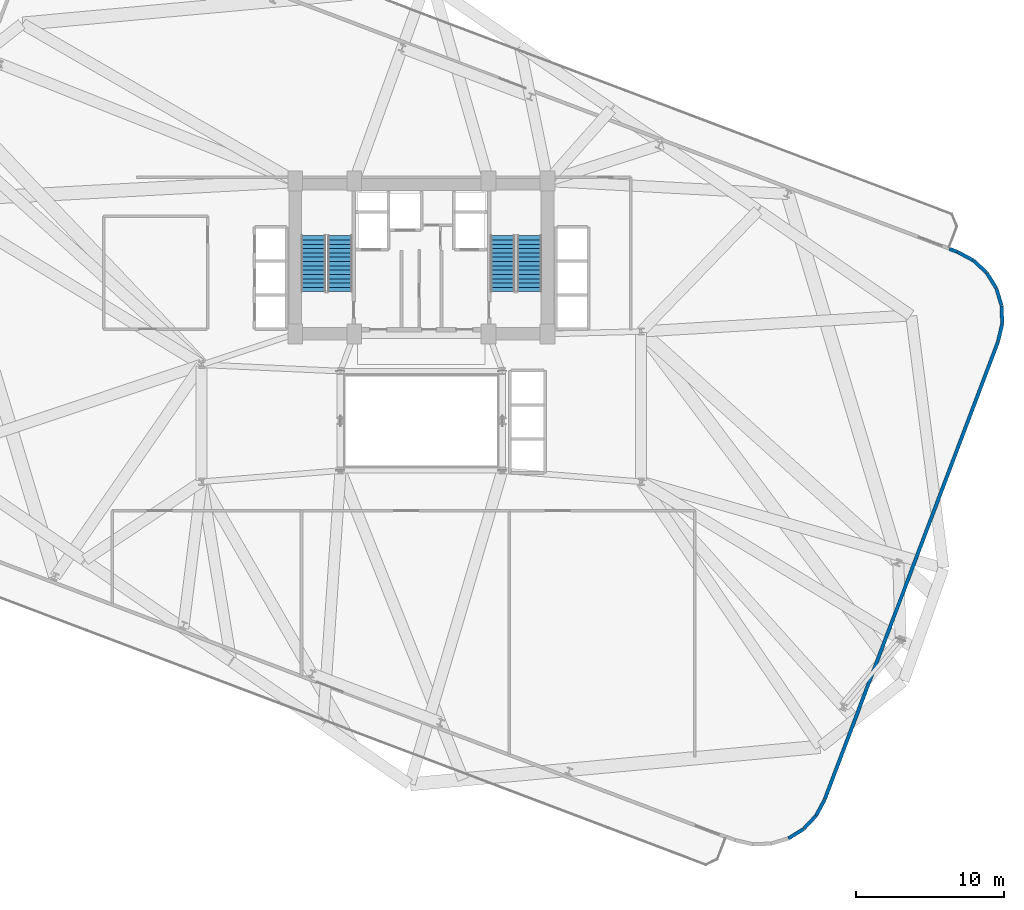
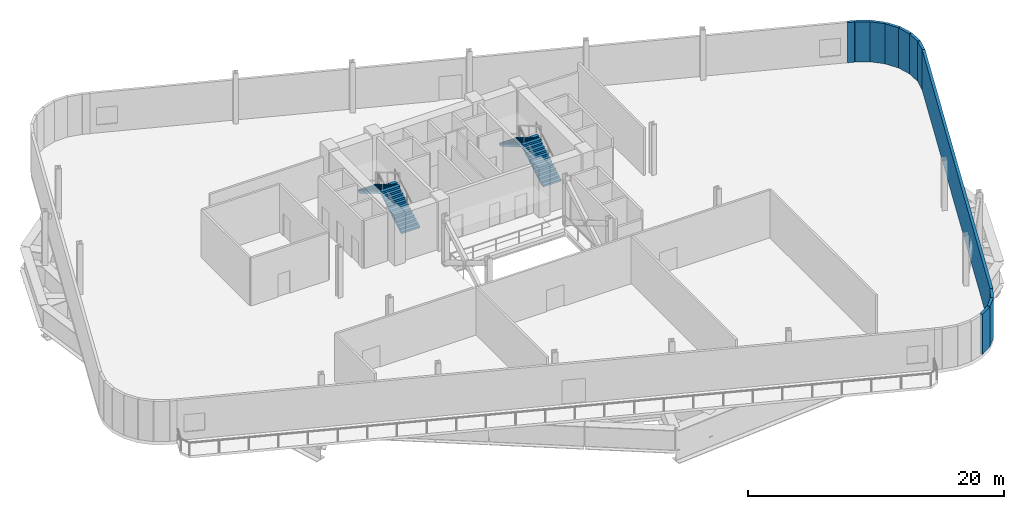
# One storey, part 8 of 11: 11 walls, 4 stair flights, 2 elements without a shape of their own.
"""IFC4 building model written with IfcOpenShell, lengths in metres."""

from ifc_helpers import new_model, si_unit, direction, frame, frame_2d, origin, place, context, subcontext, project, spatial, polyline, rectangle, outline, extrude, material, layer, layer_set, type_object, element, aggregate, save


model = new_model("IFC4")

# Units and contexts
model_context = context("Model", 3, precision=1e-05, world=origin(), true_north=direction((0.0, 1.0)))
body_context = subcontext(model_context, "Body", "Model", "MODEL_VIEW")
ifc_project = project(units=[si_unit("LENGTHUNIT", "METRE"), si_unit("AREAUNIT", "SQUARE_METRE"), si_unit("VOLUMEUNIT", "CUBIC_METRE"), si_unit("PLANEANGLEUNIT", "RADIAN"), si_unit("MASSUNIT", "GRAM", prefix="KILO")], contexts=[model_context])

# Site, building, storey
site_placement = place(None, origin())
site = spatial("IfcSite", under=ifc_project, at=site_placement, CompositionType="ELEMENT")
building_placement = place(site_placement, origin())
building = spatial("IfcBuilding", under=site, at=building_placement, Name="Varnelok Gate Tower", CompositionType="ELEMENT")
storey_placement = place(building_placement, frame((0.0, 0.0, 71.39990234375)))
storey = spatial("IfcBuildingStorey", under=building, at=storey_placement, Name="L17", CompositionType="ELEMENT", Elevation=71.39990234375)

# Walls
ifc_material_1 = material(Name="Concrete C45/55", Category="concrete")
ifc_layer = layer(ifc_material_1, 0.239990234375)
ifc_layer_set = layer_set([ifc_layer], Name="Concrete C45/55")
wall_type = type_object("IfcWallType", Name="EW-PLANT-240", PredefinedType="SOLIDWALL", material=ifc_layer_set)
for number, where, z_axis, x_axis, name in (
    (1, (63.919921875, -5.218017578125, 0.0), (0.0, 0.0, 1.0), (0.850169452362, 0.526509166369, 0.0), "L17 Perimeter Facade Closure Wall 12"),
    (2, (64.9541015625, -4.56982421875, 0.0), (0.0, 0.0, 1.0), (0.685040001998, 0.72850545342, 0.0), "L17 Perimeter Facade Closure Wall 13"),
):
    element("IfcWall", number, at=place(storey_placement, frame(where, z_axis=z_axis, x_axis=x_axis)), inside=storey, type_object=wall_type, Name=name, PredefinedType="SOLIDWALL", context=body_context, shape_type="SweptSolid", body=[
        extrude(rectangle(XDim=1.1962890625, YDim=0.239990234375, at=frame_2d((0.59814453125, 0.0))), origin(), (0.0, 0.0, 1.0), 3.830078125),
    ])
wall_1_placement = place(storey_placement, frame((65.78564453125, -3.67626953125, 0.0), z_axis=(0.0, 0.0, 1.0), x_axis=(0.473132465207, 0.880991299825, 0.0)))
element("IfcWall", 3, at=wall_1_placement, inside=storey, type_object=wall_type, Name="L17 Perimeter Facade Closure Wall 14", PredefinedType="SOLIDWALL", context=body_context, shape_type="SweptSolid", body=[
    extrude(rectangle(XDim=1.204345703125, YDim=0.239990234375, at=frame_2d((0.60205078125, 0.0))), origin(), (0.0, 0.0, 1.0), 3.830078125),
])
wall_2_placement = place(storey_placement, frame((66.3642578125, -2.591796875, 0.0), z_axis=(0.0, 0.0, 1.0), x_axis=(0.354063539488, 0.935221369519, 0.0)))
element("IfcWall", 4, at=wall_2_placement, inside=storey, type_object=wall_type, Name="L17 Perimeter Facade Closure Wall 15", PredefinedType="SOLIDWALL", context=body_context, shape_type="SweptSolid", body=[
    extrude(rectangle(XDim=32.959228515625, YDim=0.239990234375, at=frame_2d((16.4794921875, 0.0))), origin(), (0.0, 0.0, 1.0), 3.830078125),
])
wall_3_placement = place(storey_placement, frame((78.03955078125, 28.2568359375, 0.0), z_axis=(0.0, 0.0, 1.0), x_axis=(0.228869843808, 0.973457032742, 0.0)))
element("IfcWall", 5, at=wall_3_placement, inside=storey, type_object=wall_type, Name="L17 Perimeter Facade Closure Wall 16", PredefinedType="SOLIDWALL", context=body_context, shape_type="SweptSolid", body=[
    extrude(rectangle(XDim=1.204345703125, YDim=0.239990234375, at=frame_2d((0.60205078125, 0.0))), origin(), (0.0, 0.0, 1.0), 3.830078125),
])
wall_4_placement = place(storey_placement, frame((78.314453125, 29.4541015625, 0.0), z_axis=(0.0, 0.0, 1.0), x_axis=(-0.030807986022, 0.999525321339, 0.0)))
element("IfcWall", 6, at=wall_4_placement, inside=storey, type_object=wall_type, Name="L17 Perimeter Facade Closure Wall 17", PredefinedType="SOLIDWALL", context=body_context, shape_type="SweptSolid", body=[
    extrude(rectangle(XDim=1.196533203125, YDim=0.239990234375, at=frame_2d((0.59814453125, 0.0))), origin(), (0.0, 0.0, 1.0), 3.830078125),
])
wall_5_placement = place(storey_placement, frame((78.2705078125, 30.674072265625, 0.0), z_axis=(0.0, 0.0, 1.0), x_axis=(-0.288358741943, 0.957522446706, 0.0)))
element("IfcWall", 7, at=wall_5_placement, inside=storey, type_object=wall_type, Name="L17 Perimeter Facade Closure Wall 18", PredefinedType="SOLIDWALL", context=body_context, shape_type="SweptSolid", body=[
    extrude(rectangle(XDim=1.1962890625, YDim=0.239990234375, at=frame_2d((0.59814453125, 0.0))), origin(), (0.0, 0.0, 1.0), 3.830078125),
])
for number, where, z_axis, x_axis, name in (
    (8, (77.912353515625, 31.8408203125, 0.0), (0.0, 0.0, 1.0), (-0.526417831468, 0.850226009196, 0.0), "L17 Perimeter Facade Closure Wall 19"),
    (9, (77.264404296875, 32.875244140625, 0.0), (0.0, 0.0, 1.0), (-0.728601194785, 0.684938171631, 0.0), "L17 Perimeter Facade Closure Wall 20"),
):
    element("IfcWall", number, at=place(storey_placement, frame(where, z_axis=z_axis, x_axis=x_axis)), inside=storey, type_object=wall_type, Name=name, PredefinedType="SOLIDWALL", context=body_context, shape_type="SweptSolid", body=[
        extrude(rectangle(XDim=1.196533203125, YDim=0.239990234375, at=frame_2d((0.59814453125, 0.0))), origin(), (0.0, 0.0, 1.0), 3.830078125),
    ])
wall_6_placement = place(storey_placement, frame((76.37060546875, 33.706787109375, 0.0), z_axis=(0.0, 0.0, 1.0), x_axis=(-0.880991299825, 0.473132465207, 0.0)))
element("IfcWall", 10, at=wall_6_placement, inside=storey, type_object=wall_type, Name="L17 Perimeter Facade Closure Wall 21", PredefinedType="SOLIDWALL", context=body_context, shape_type="SweptSolid", body=[
    extrude(rectangle(XDim=1.204345703125, YDim=0.239990234375, at=frame_2d((0.60205078125, 0.0))), origin(), (0.0, 0.0, 1.0), 3.830078125),
])
wall_7_placement = place(storey_placement, frame((75.2861328125, 34.285400390625, 0.0), z_axis=(0.0, 0.0, 1.0), x_axis=(-0.935317057608, 0.353810686311, 0.0)))
element("IfcWall", 11, at=wall_7_placement, inside=storey, type_object=wall_type, Name="L17 Perimeter Facade Closure Wall 22", PredefinedType="SOLIDWALL", context=body_context, shape_type="SweptSolid", body=[
    extrude(rectangle(XDim=0.567138671875, YDim=0.239990234375, at=frame_2d((0.28369140625, 0.0))), origin(), (0.0, 0.0, 1.0), 3.830078125),
])

# Stair, stair flights
ifc_material_2 = material(Name="Concrete C50/60", Category="concrete")
stair_type = type_object("IfcStairType", Name="STR-CORE-1650", PredefinedType="HALF_TURN_STAIR", material=ifc_material_2)
stair_1_placement = place(storey_placement, origin())
stair_1 = element("IfcStair", 12, at=stair_1_placement, inside=storey, type_object=stair_type, Name="L17 Exit Stair ST-1", PredefinedType="HALF_TURN_STAIR")
stair_flight_type = type_object("IfcStairFlightType", Name="SFL-CORE-1650", PredefinedType="STRAIGHT", material=ifc_material_2)
stair_flight_1_placement = place(storey_placement, frame((33.72509765625, 31.60009765625, 0.0), z_axis=(0.0, 0.0, 1.0), x_axis=(0.0, 1.0, 0.0)))
stair_flight_1 = element("IfcStairFlight", 13, at=stair_flight_1_placement, type_object=stair_flight_type, Name="ST-1 flight 1", NumberOfRisers=14, NumberOfTreads=13, PredefinedType="STRAIGHT", RiserHeight=0.171428571, TreadLength=0.29, context=body_context, shape_type="SweptSolid", body=[
    extrude(outline(polyline([(0.0, 0.0), (0.0, 0.17138671875), (0.2900390625, 0.17138671875), (0.2900390625, 0.3427734375), (0.580078125, 0.3427734375), (0.580078125, 0.514404296875), (0.8701171875, 0.514404296875), (0.8701171875, 0.685791015625), (1.159912109375, 0.685791015625), (1.159912109375, 0.857177734375), (1.449951171875, 0.857177734375), (1.449951171875, 1.028564453125), (1.739990234375, 1.028564453125), (1.739990234375, 1.199951171875), (2.030029296875, 1.199951171875), (2.030029296875, 1.371337890625), (2.320068359375, 1.371337890625), (2.320068359375, 1.54296875), (2.610107421875, 1.54296875), (2.610107421875, 1.71435546875), (2.89990234375, 1.71435546875), (2.89990234375, 1.8857421875), (3.18994140625, 1.8857421875), (3.18994140625, 2.05712890625), (3.47998046875, 2.05712890625), (3.47998046875, 2.228515625), (3.77001953125, 2.228515625), (3.77001953125, 2.39990234375), (3.77001953125, 2.054443359375), (0.294677734375, 0.0), (0.0, 0.0)])), frame((0.0, 0.824951171875, 0.0), z_axis=(0.0, -1.0, 0.0), x_axis=(1.0, 0.0, 0.0)), (0.0, 0.0, 1.0), 1.64990234375),
])
stair_flight_2_placement = place(storey_placement, frame((31.925048828125, 35.3701171875, 2.400146484375), z_axis=(0.0, 0.0, 1.0), x_axis=(0.0, -1.0, 0.0)))
stair_flight_2 = element("IfcStairFlight", 14, at=stair_flight_2_placement, type_object=stair_flight_type, Name="ST-1 flight 2", NumberOfRisers=14, NumberOfTreads=13, PredefinedType="STRAIGHT", RiserHeight=0.171428571, TreadLength=0.29, context=body_context, shape_type="SweptSolid", body=[
    extrude(outline(polyline([(0.0, 0.0), (0.0, 0.17138671875), (0.2900390625, 0.17138671875), (0.2900390625, 0.3427734375), (0.580078125, 0.3427734375), (0.580078125, 0.514404296875), (0.8701171875, 0.514404296875), (0.8701171875, 0.685791015625), (1.159912109375, 0.685791015625), (1.159912109375, 0.857177734375), (1.449951171875, 0.857177734375), (1.449951171875, 1.028564453125), (1.739990234375, 1.028564453125), (1.739990234375, 1.199951171875), (2.030029296875, 1.199951171875), (2.030029296875, 1.371337890625), (2.320068359375, 1.371337890625), (2.320068359375, 1.54296875), (2.610107421875, 1.54296875), (2.610107421875, 1.71435546875), (2.89990234375, 1.71435546875), (2.89990234375, 1.8857421875), (3.18994140625, 1.8857421875), (3.18994140625, 2.05712890625), (3.47998046875, 2.05712890625), (3.47998046875, 2.228515625), (3.77001953125, 2.228515625), (3.77001953125, 2.39990234375), (3.77001953125, 2.054443359375), (0.294677734375, 0.0), (0.0, 0.0)])), frame((0.0, 0.824951171875, 0.0), z_axis=(0.0, -1.0, 0.0), x_axis=(1.0, 0.0, 0.0)), (0.0, 0.0, 1.0), 1.64990234375),
])
aggregate(stair_1, [stair_flight_1, stair_flight_2])

stair_2_placement = place(storey_placement, origin())
stair_2 = element("IfcStair", 15, at=stair_2_placement, inside=storey, type_object=stair_type, Name="L17 Exit Stair ST-2", PredefinedType="HALF_TURN_STAIR")
stair_flight_3_placement = place(storey_placement, frame((46.47509765625, 31.60009765625, 0.0), z_axis=(0.0, 0.0, 1.0), x_axis=(0.0, 1.0, 0.0)))
stair_flight_3 = element("IfcStairFlight", 16, at=stair_flight_3_placement, type_object=stair_flight_type, Name="ST-2 flight 1", NumberOfRisers=14, NumberOfTreads=13, PredefinedType="STRAIGHT", RiserHeight=0.171428571, TreadLength=0.29, context=body_context, shape_type="SweptSolid", body=[
    extrude(outline(polyline([(0.0, 0.0), (0.0, 0.17138671875), (0.2900390625, 0.17138671875), (0.2900390625, 0.3427734375), (0.580078125, 0.3427734375), (0.580078125, 0.514404296875), (0.8701171875, 0.514404296875), (0.8701171875, 0.685791015625), (1.159912109375, 0.685791015625), (1.159912109375, 0.857177734375), (1.449951171875, 0.857177734375), (1.449951171875, 1.028564453125), (1.739990234375, 1.028564453125), (1.739990234375, 1.199951171875), (2.030029296875, 1.199951171875), (2.030029296875, 1.371337890625), (2.320068359375, 1.371337890625), (2.320068359375, 1.54296875), (2.610107421875, 1.54296875), (2.610107421875, 1.71435546875), (2.89990234375, 1.71435546875), (2.89990234375, 1.8857421875), (3.18994140625, 1.8857421875), (3.18994140625, 2.05712890625), (3.47998046875, 2.05712890625), (3.47998046875, 2.228515625), (3.77001953125, 2.228515625), (3.77001953125, 2.39990234375), (3.77001953125, 2.054443359375), (0.294677734375, 0.0), (0.0, 0.0)])), frame((0.0, 0.824951171875, 0.0), z_axis=(0.0, -1.0, 0.0), x_axis=(1.0, 0.0, 0.0)), (0.0, 0.0, 1.0), 1.64990234375),
])
stair_flight_4_placement = place(storey_placement, frame((44.675048828125, 35.3701171875, 2.400146484375), z_axis=(0.0, 0.0, 1.0), x_axis=(0.0, -1.0, 0.0)))
stair_flight_4 = element("IfcStairFlight", 17, at=stair_flight_4_placement, type_object=stair_flight_type, Name="ST-2 flight 2", NumberOfRisers=14, NumberOfTreads=13, PredefinedType="STRAIGHT", RiserHeight=0.171428571, TreadLength=0.29, context=body_context, shape_type="SweptSolid", body=[
    extrude(outline(polyline([(0.0, 0.0), (0.0, 0.17138671875), (0.2900390625, 0.17138671875), (0.2900390625, 0.3427734375), (0.580078125, 0.3427734375), (0.580078125, 0.514404296875), (0.8701171875, 0.514404296875), (0.8701171875, 0.685791015625), (1.159912109375, 0.685791015625), (1.159912109375, 0.857177734375), (1.449951171875, 0.857177734375), (1.449951171875, 1.028564453125), (1.739990234375, 1.028564453125), (1.739990234375, 1.199951171875), (2.030029296875, 1.199951171875), (2.030029296875, 1.371337890625), (2.320068359375, 1.371337890625), (2.320068359375, 1.54296875), (2.610107421875, 1.54296875), (2.610107421875, 1.71435546875), (2.89990234375, 1.71435546875), (2.89990234375, 1.8857421875), (3.18994140625, 1.8857421875), (3.18994140625, 2.05712890625), (3.47998046875, 2.05712890625), (3.47998046875, 2.228515625), (3.77001953125, 2.228515625), (3.77001953125, 2.39990234375), (3.77001953125, 2.054443359375), (0.294677734375, 0.0), (0.0, 0.0)])), frame((0.0, 0.824951171875, 0.0), z_axis=(0.0, -1.0, 0.0), x_axis=(1.0, 0.0, 0.0)), (0.0, 0.0, 1.0), 1.64990234375),
])
aggregate(stair_2, [stair_flight_3, stair_flight_4])

save(model, "model.ifc")
